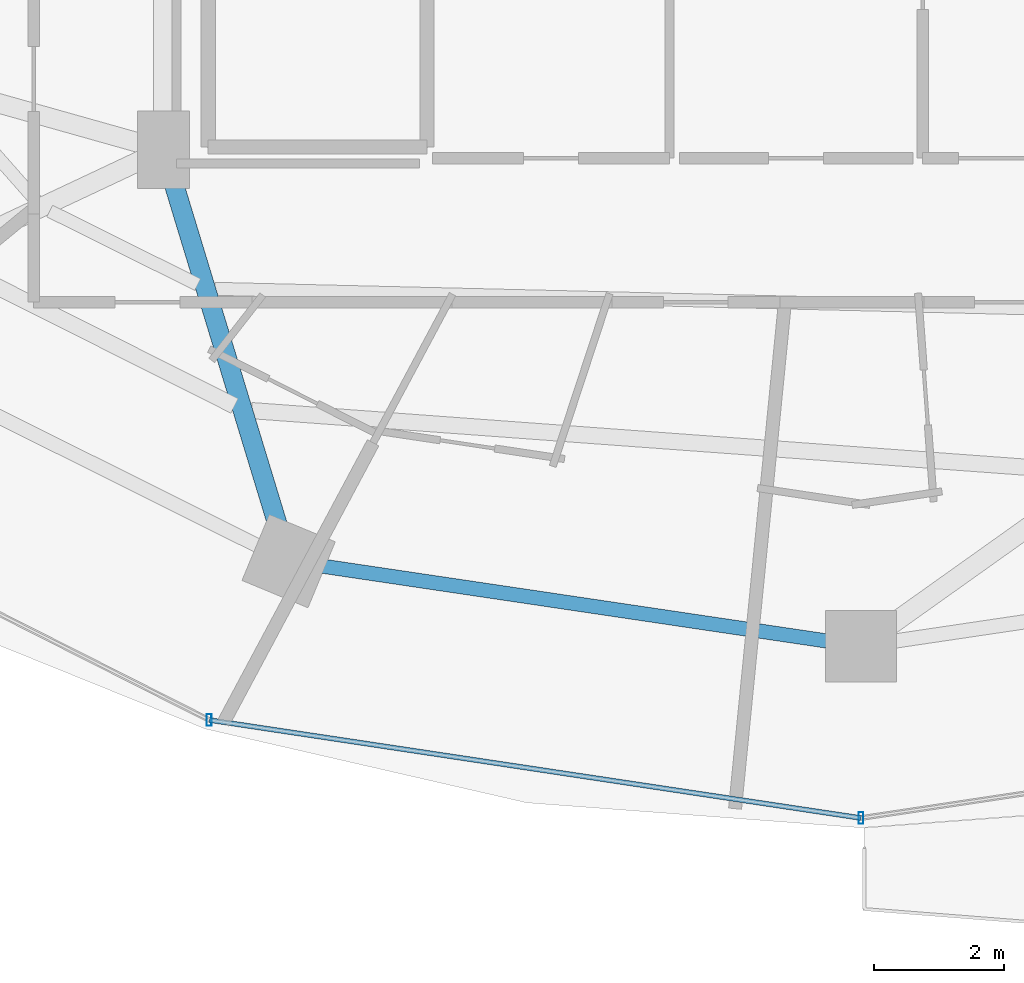
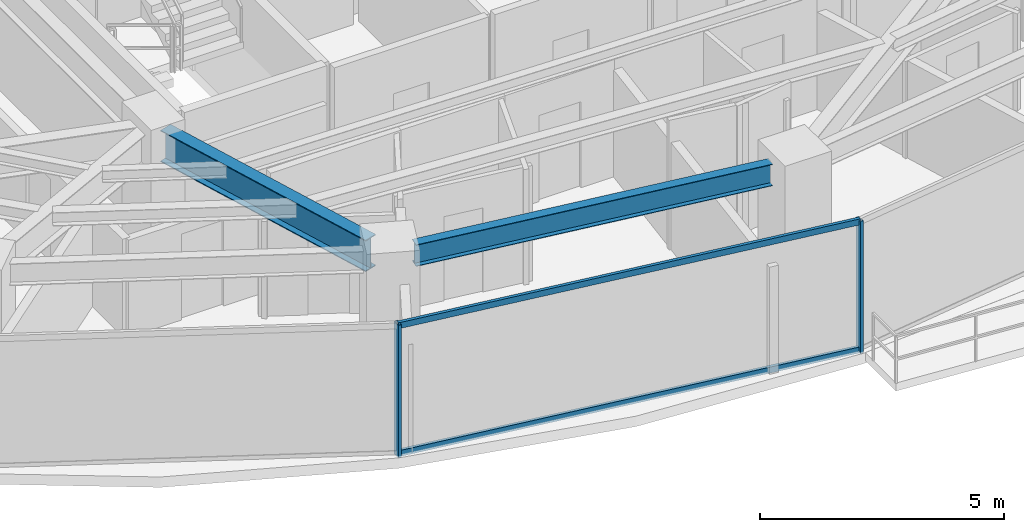
# One storey, part 4 of 29: 4 members, 2 beams, 1 element without a shape of its own.
"""IFC4 building model written with IfcOpenShell, lengths in metres."""

from ifc_helpers import new_model, si_unit, direction, frame, origin, origin_2d, place, context, subcontext, project, spatial, hollow_rectangle, i_section, extrude, material, material_profile, profile_set, type_object, element, aggregate, save


model = new_model("IFC4")

# Units and contexts
model_context = context("Model", 3, precision=1e-05, world=origin(), true_north=direction((0.0, 1.0)))
body_context = subcontext(model_context, "Body", "Model", "MODEL_VIEW")
ifc_project = project(units=[si_unit("LENGTHUNIT", "METRE"), si_unit("AREAUNIT", "SQUARE_METRE"), si_unit("VOLUMEUNIT", "CUBIC_METRE"), si_unit("PLANEANGLEUNIT", "RADIAN"), si_unit("MASSUNIT", "GRAM", prefix="KILO")], contexts=[model_context])

# Site, building, storey
site_placement = place(None, origin())
site = spatial("IfcSite", under=ifc_project, at=site_placement, CompositionType="ELEMENT")
building_placement = place(site_placement, origin())
building = spatial("IfcBuilding", under=site, at=building_placement, Name="Vorneva Point Tower", CompositionType="ELEMENT")
storey_placement = place(building_placement, frame((0.0, 0.0, 113.800048828125)))
storey = spatial("IfcBuildingStorey", under=building, at=storey_placement, Name="L30", CompositionType="ELEMENT", Elevation=113.800048828125)

# Beams
ifc_material_1 = material(Name="Steel S355", Category="steel")
ifc_material_profile_1 = material_profile(ifc_material_1, i_section(OverallWidth=0.300048828125, OverallDepth=0.7880859375, WebThickness=0.014404296875, FlangeThickness=0.02197265625, at=origin_2d()), Name="80Sh1")
ifc_profile_set_1 = profile_set([ifc_material_profile_1], Name="Steel S355")
beam_type_1 = type_object("IfcBeamType", Name="BM-GRD-80Sh1", PredefinedType="USERDEFINED", material=ifc_profile_set_1)
beam_1_placement = place(storey_placement, frame((29.0224609375, 10.6240234375, 2.845947265625), z_axis=(-0.291034888253, 0.956712440506, 0.0), x_axis=(-0.956712440506, -0.291034888253, 0.0)))
element("IfcBeam", 1, at=beam_1_placement, inside=storey, type_object=beam_type_1, Name="L30 Radial Primary Girder 12", ObjectType="GIRDER", PredefinedType="USERDEFINED", context=body_context, shape_type="SweptSolid", body=[
    extrude(i_section(OverallWidth=0.300048828125, OverallDepth=0.7880859375, WebThickness=0.014404296875, FlangeThickness=0.02197265625, at=origin_2d()), origin(), (0.0, 0.0, 1.0), 5.74951171875),
])
ifc_material_profile_2 = material_profile(ifc_material_1, i_section(OverallWidth=0.219970703125, OverallDepth=0.54296875, WebThickness=0.009521484375, FlangeThickness=0.013427734375, at=origin_2d()), Name="55B1")
ifc_profile_set_2 = profile_set([ifc_material_profile_2], Name="Steel S355")
beam_type_2 = type_object("IfcBeamType", Name="BM-SPN-55B1", PredefinedType="SPANDREL", material=ifc_profile_set_2)
beam_2_placement = place(storey_placement, frame((29.708251953125, 10.03076171875, 2.968505859375), z_axis=(0.989164507783, -0.146811363806, 0.0), x_axis=(0.146811363806, 0.989164507783, 0.0)))
element("IfcBeam", 2, at=beam_2_placement, inside=storey, type_object=beam_type_2, Name="L30 Perimeter Spandrel Ring Beam 12", PredefinedType="SPANDREL", context=body_context, shape_type="SweptSolid", body=[
    extrude(i_section(OverallWidth=0.219970703125, OverallDepth=0.54296875, WebThickness=0.009521484375, FlangeThickness=0.013427734375, at=origin_2d()), origin(), (0.0, 0.0, 1.0), 7.847412109375),
])

# Curtain wall, members
ifc_material_2 = material(Name="Pale anodised aluminium", Category="aluminium")
curtain_wall_type = type_object("IfcCurtainWallType", Name="CW-HTL-SYS", PredefinedType="NOTDEFINED", material=ifc_material_2)
curtain_wall_placement = place(storey_placement, origin())
curtain_wall = element("IfcCurtainWall", 3, at=curtain_wall_placement, inside=storey, type_object=curtain_wall_type, Name="L30 Unitised Curtain Wall CW-L30-R04", PredefinedType="NOTDEFINED")
ifc_material_profile_3 = material_profile(ifc_material_2, hollow_rectangle(XDim=0.074951171875, YDim=0.179931640625, WallThickness=0.00390625, at=origin_2d()), Name="AL-MUL 180x75x4")
ifc_profile_set_3 = profile_set([ifc_material_profile_3], Name="Pale anodised aluminium")
member_type_1 = type_object("IfcMemberType", Name="CW-MUL-180", PredefinedType="MULLION", material=ifc_profile_set_3)
member_1_placement = place(storey_placement, frame((27.95458984375, 7.660888671875, -0.0400390625), z_axis=(0.0, 0.0, 1.0), x_axis=(1.0, 0.0, 0.0)))
member_1 = element("IfcMember", 4, at=member_1_placement, type_object=member_type_1, Name="CW-L30-R04 Mullion 02", PredefinedType="MULLION", context=body_context, shape_type="SweptSolid", body=[
    extrude(hollow_rectangle(XDim=0.074951171875, YDim=0.179931640625, WallThickness=0.00390625, at=origin_2d()), origin(), (0.0, 0.0, 1.0), 3.31005859375),
])
member_2_placement = place(storey_placement, frame((38.0, 6.14990234375, -0.0400390625), z_axis=(0.0, 0.0, 1.0), x_axis=(1.0, 0.0, 0.0)))
member_2 = element("IfcMember", 5, at=member_2_placement, type_object=member_type_1, Name="CW-L30-R04 Mullion 03", PredefinedType="MULLION", context=body_context, shape_type="SweptSolid", body=[
    extrude(hollow_rectangle(XDim=0.074951171875, YDim=0.179931640625, WallThickness=0.00390625, at=origin_2d()), origin(), (0.0, 0.0, 1.0), 3.31005859375),
])
ifc_material_profile_4 = material_profile(ifc_material_2, hollow_rectangle(XDim=0.074951171875, YDim=0.14990234375, WallThickness=0.00390625, at=origin_2d()), Name="AL-TRN 150x75x4")
ifc_profile_set_4 = profile_set([ifc_material_profile_4], Name="Pale anodised aluminium")
member_type_2 = type_object("IfcMemberType", Name="CW-TRN-150", PredefinedType="USERDEFINED", material=ifc_profile_set_4)
member_3_placement = place(storey_placement, frame((27.95458984375, 7.660888671875, 0.02001953125), z_axis=(0.988875982167, -0.148742367512, 0.0), x_axis=(0.148742367512, 0.988875982167, 0.0)))
member_3 = element("IfcMember", 6, at=member_3_placement, type_object=member_type_2, Name="CW-L30-R04 Transom 02.1", ObjectType="TRANSOM", PredefinedType="USERDEFINED", context=body_context, shape_type="SweptSolid", body=[
    extrude(hollow_rectangle(XDim=0.074951171875, YDim=0.14990234375, WallThickness=0.00390625, at=origin_2d()), origin(), (0.0, 0.0, 1.0), 10.158447265625),
])
member_4_placement = place(storey_placement, frame((27.95458984375, 7.660888671875, 3.219970703125), z_axis=(0.988875982167, -0.148742367512, 0.0), x_axis=(0.148742367512, 0.988875982167, 0.0)))
member_4 = element("IfcMember", 7, at=member_4_placement, type_object=member_type_2, Name="CW-L30-R04 Transom 02.2", ObjectType="TRANSOM", PredefinedType="USERDEFINED", context=body_context, shape_type="SweptSolid", body=[
    extrude(hollow_rectangle(XDim=0.074951171875, YDim=0.14990234375, WallThickness=0.00390625, at=origin_2d()), origin(), (0.0, 0.0, 1.0), 10.158447265625),
])
aggregate(curtain_wall, [member_1, member_2, member_3, member_4])

save(model, "model.ifc")
